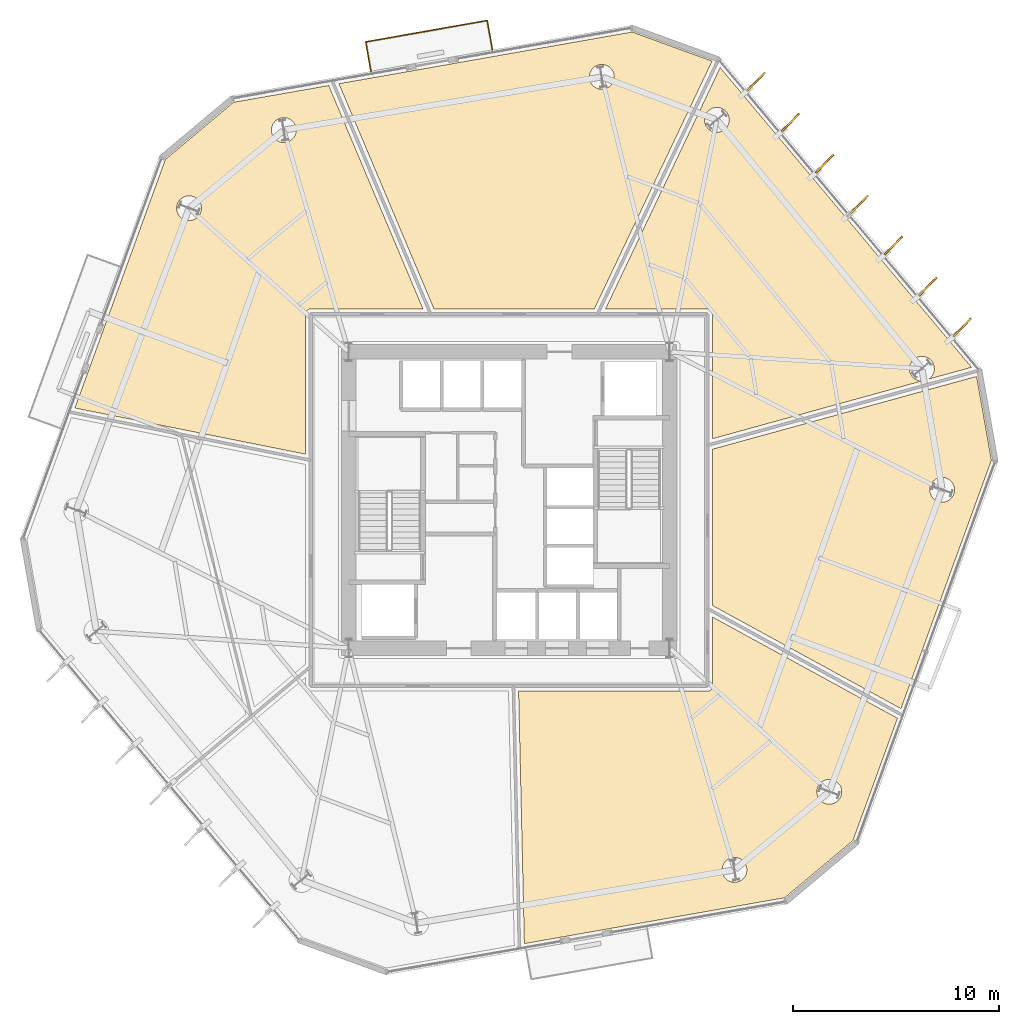
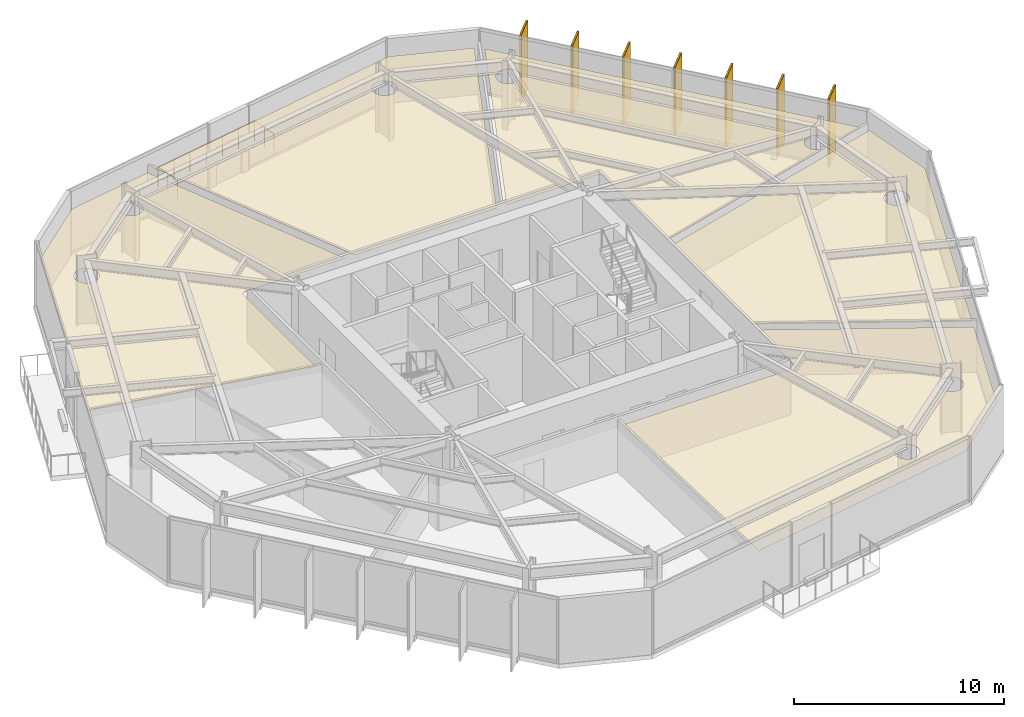
# One storey, part 10 of 10: 12 coverings, 7 shading devices, 1 railing.
"""IFC4 building model written with IfcOpenShell, lengths in metres."""

from ifc_helpers import new_model, si_unit, direction, frame, origin, origin_2d, place, context, subcontext, project, spatial, polyline, rectangle, circle, outline, extrude, material, layer, layer_set, type_object, element, save


model = new_model("IFC4")

# Units and contexts
model_context = context("Model", 3, precision=1e-05, world=origin(), true_north=direction((0.0, 1.0)))
body_context = subcontext(model_context, "Body", "Model", "MODEL_VIEW")
ifc_project = project(units=[si_unit("LENGTHUNIT", "METRE"), si_unit("AREAUNIT", "SQUARE_METRE"), si_unit("VOLUMEUNIT", "CUBIC_METRE"), si_unit("PLANEANGLEUNIT", "RADIAN"), si_unit("MASSUNIT", "GRAM", prefix="KILO")], contexts=[model_context])

# Site, building, storey
site_placement = place(None, origin())
site = spatial("IfcSite", under=ifc_project, at=site_placement, CompositionType="ELEMENT")
building_placement = place(site_placement, origin())
building = spatial("IfcBuilding", under=site, at=building_placement, Name="Kranzbogen Civic Tower", CompositionType="ELEMENT")
storey_placement = place(building_placement, frame((0.0, 0.0, 60.0)))
storey = spatial("IfcBuildingStorey", under=building, at=storey_placement, Name="L14", CompositionType="ELEMENT", Elevation=60.0)

# Coverings
ifc_material_1 = material(Name="Pale Anodised Aluminium", Category="aluminium")
ifc_layer_1 = layer(ifc_material_1, 0.02490234375, Name="Pale Anodised Aluminium")
ifc_layer_set_1 = layer_set([ifc_layer_1], Name="Pale Anodised Aluminium")
covering_type_1 = type_object("IfcCoveringType", Name="Anodised Aluminium Vertical Fin Cladding 25 mm", PredefinedType="CLADDING", material=ifc_layer_set_1)
for number, where, z_axis, x_axis, name in (
    (1, (47.032958984375, 33.389892578125, -0.139892578125), (0.0, 0.0, 1.0), (0.695687156224, 0.718344889774, 0.0), "L14 vertical fin pale-metal cladding F1-1"),
    (2, (45.362060546875, 35.382080078125, -0.139892578125), (0.0, 0.0, 1.0), (0.695687156224, 0.718344889774, 0.0), "L14 vertical fin pale-metal cladding F1-2"),
    (3, (43.69091796875, 37.3740234375, -0.139892578125), (0.0, 0.0, 1.0), (0.695687156224, 0.718344889774, 0.0), "L14 vertical fin pale-metal cladding F1-3"),
    (4, (42.02001953125, 39.364990234375, -0.139892578125), (0.0, 0.0, 1.0), (0.695687156224, 0.718344889774, 0.0), "L14 vertical fin pale-metal cladding F1-4"),
    (5, (40.347900390625, 41.35693359375, -0.139892578125), (0.0, 0.0, 1.0), (0.695687156224, 0.718344889774, 0.0), "L14 vertical fin pale-metal cladding F1-5"),
    (6, (38.677001953125, 43.34912109375, -0.139892578125), (0.0, 0.0, 1.0), (0.695687156224, 0.718344889774, 0.0), "L14 vertical fin pale-metal cladding F1-6"),
    (7, (37.006103515625, 45.341064453125, -0.139892578125), (0.0, 0.0, 1.0), (0.695687156224, 0.718344889774, 0.0), "L14 vertical fin pale-metal cladding F1-7"),
):
    element("IfcCovering", number, at=place(storey_placement, frame(where, z_axis=z_axis, x_axis=x_axis)), inside=storey, type_object=covering_type_1, Name=name, PredefinedType="CLADDING", context=body_context, shape_type="SweptSolid", body=[
        extrude(rectangle(XDim=1.25, YDim=0.10009765625, at=origin_2d()), origin(), (0.0, 0.0, 1.0), 3.9599609375),
    ])

# Shading devices
ifc_material_2 = material(Name="Anodised Bronze Aluminium", Category="aluminium")
shading_device_type = type_object("IfcShadingDeviceType", Name="Anodised Bronze Vertical Facade Fin 1250x80", PredefinedType="USERDEFINED", material=ifc_material_2)
for number, where, z_axis, x_axis, name in (
    (8, (47.032958984375, 33.389892578125, -0.139892578125), (0.0, 0.0, 1.0), (0.695687156224, 0.718344889774, 0.0), "L14 vertical exterior shading fin F1-1"),
    (9, (45.362060546875, 35.382080078125, -0.139892578125), (0.0, 0.0, 1.0), (0.695687156224, 0.718344889774, 0.0), "L14 vertical exterior shading fin F1-2"),
    (10, (43.69091796875, 37.3740234375, -0.139892578125), (0.0, 0.0, 1.0), (0.695687156224, 0.718344889774, 0.0), "L14 vertical exterior shading fin F1-3"),
    (11, (42.02001953125, 39.364990234375, -0.139892578125), (0.0, 0.0, 1.0), (0.695687156224, 0.718344889774, 0.0), "L14 vertical exterior shading fin F1-4"),
    (12, (40.347900390625, 41.35693359375, -0.139892578125), (0.0, 0.0, 1.0), (0.695687156224, 0.718344889774, 0.0), "L14 vertical exterior shading fin F1-5"),
    (13, (38.677001953125, 43.34912109375, -0.139892578125), (0.0, 0.0, 1.0), (0.695687156224, 0.718344889774, 0.0), "L14 vertical exterior shading fin F1-6"),
    (14, (37.006103515625, 45.341064453125, -0.139892578125), (0.0, 0.0, 1.0), (0.695687156224, 0.718344889774, 0.0), "L14 vertical exterior shading fin F1-7"),
):
    element("IfcShadingDevice", number, at=place(storey_placement, frame(where, z_axis=z_axis, x_axis=x_axis)), inside=storey, type_object=shading_device_type, Name=name, ObjectType="FIN", PredefinedType="USERDEFINED", context=body_context, shape_type="SweptSolid", body=[
        extrude(rectangle(XDim=1.25, YDim=0.080078125, at=origin_2d()), origin(), (0.0, 0.0, 1.0), 3.9599609375),
    ])

# Railing
railing_type = type_object("IfcRailingType", Name="Cantilevered Balcony Glass and Bronze Balustrade 1200", PredefinedType="BALUSTRADE", material=ifc_material_2)
railing_placement = place(storey_placement, frame((24.18603515625, 46.89111328125, 0.0)))
element("IfcRailing", 15, at=railing_placement, inside=storey, type_object=railing_type, Name="L14 exterior terrace balustrade L14-TB2", PredefinedType="BALUSTRADE", context=body_context, shape_type="SweptSolid", body=[
    extrude(circle(Radius=0.02392578125, at=origin_2d()), frame((0.0, 0.0, 1.17578125), z_axis=(-0.173756519054, 0.984788643358, 0.0), x_axis=(-0.984788643358, -0.173756519054, 0.0)), (0.0, 0.0, 1.0), 1.449951171875),
    extrude(circle(Radius=0.02392578125, at=origin_2d()), frame((-0.251953125, 1.427978515625, 1.17578125), z_axis=(-0.984806488304, -0.173655350028, 0.0), x_axis=(0.173655350028, -0.984806488304, 0.0)), (0.0, 0.0, 1.0), 6.000244140625),
    extrude(circle(Radius=0.02392578125, at=origin_2d()), frame((-6.1611328125, 0.385986328125, 1.17578125), z_axis=(0.173919797331, -0.984759820513, 0.0), x_axis=(0.984759820513, 0.173919797331, 0.0)), (0.0, 0.0, 1.0), 1.4501953125),
    extrude(circle(Radius=0.02099609375, at=origin_2d()), origin(), (0.0, 0.0, 1.0), 1.15185546875),
    extrude(circle(Radius=0.02099609375, at=origin_2d()), frame((-0.1259765625, 0.7138671875, 0.0)), (0.0, 0.0, 1.0), 1.15185546875),
    extrude(circle(Radius=0.02099609375, at=origin_2d()), frame((-0.251953125, 1.427978515625, 0.0)), (0.0, 0.0, 1.0), 1.15185546875),
    extrude(circle(Radius=0.02099609375, at=origin_2d()), frame((-1.23681640625, 1.25439453125, 0.0)), (0.0, 0.0, 1.0), 1.15185546875),
    extrude(circle(Radius=0.02099609375, at=origin_2d()), frame((-2.2216796875, 1.08056640625, 0.0)), (0.0, 0.0, 1.0), 1.15185546875),
    extrude(circle(Radius=0.02099609375, at=origin_2d()), frame((-3.20654296875, 0.906982421875, 0.0)), (0.0, 0.0, 1.0), 1.15185546875),
    extrude(circle(Radius=0.02099609375, at=origin_2d()), frame((-4.19140625, 0.7333984375, 0.0)), (0.0, 0.0, 1.0), 1.15185546875),
    extrude(circle(Radius=0.02099609375, at=origin_2d()), frame((-5.17626953125, 0.5595703125, 0.0)), (0.0, 0.0, 1.0), 1.15185546875),
    extrude(circle(Radius=0.02099609375, at=origin_2d()), frame((-6.1611328125, 0.385986328125, 0.0)), (0.0, 0.0, 1.0), 1.15185546875),
    extrude(circle(Radius=0.02099609375, at=origin_2d()), frame((-6.03515625, -0.328125, 0.0)), (0.0, 0.0, 1.0), 1.15185546875),
    extrude(circle(Radius=0.02099609375, at=origin_2d()), frame((-5.908935546875, -1.0419921875, 0.0)), (0.0, 0.0, 1.0), 1.15185546875),
])

# Coverings
ifc_material_3 = material(Name="Perforated Acoustic Gypsum Ceiling")
ifc_layer_2 = layer(ifc_material_3, 0.02490234375, Name="Perforated Acoustic Gypsum Ceiling")
ifc_layer_set_2 = layer_set([ifc_layer_2], Name="Perforated Acoustic Gypsum Ceiling")
covering_type_2 = type_object("IfcCoveringType", Name="Perforated Acoustic Mineral Ceiling Tile 25 mm", PredefinedType="CEILING", material=ifc_layer_set_2)
covering_1_placement = place(storey_placement, frame((0.0, 0.0, 2.75)))
element("IfcCovering", 16, at=covering_1_placement, inside=storey, type_object=covering_type_2, Name="L14 Staff Tea Pantry acoustic ceiling", PredefinedType="CEILING", context=body_context, shape_type="SweptSolid", body=[
    extrude(outline(polyline([(38.406005859375, 5.658935546875), (25.739013671875, 3.425048828125), (25.4580078125, 15.705078125), (34.64990234375, 15.705078125), (34.658935546875, 15.705078125), (34.6650390625, 15.7060546875), (34.68310546875, 15.70703125), (34.68896484375, 15.7080078125), (34.7060546875, 15.7119140625), (34.712890625, 15.712890625), (34.72998046875, 15.718017578125), (34.736083984375, 15.719970703125), (34.751953125, 15.72705078125), (34.758056640625, 15.72998046875), (34.77294921875, 15.738037109375), (34.779052734375, 15.741943359375), (34.79296875, 15.7509765625), (34.798095703125, 15.7548828125), (34.81201171875, 15.76611328125), (34.81689453125, 15.77099609375), (34.8291015625, 15.782958984375), (34.833984375, 15.7880859375), (34.844970703125, 15.802001953125), (34.84912109375, 15.806884765625), (34.85791015625, 15.821044921875), (34.862060546875, 15.826904296875), (34.8701171875, 15.842041015625), (34.873046875, 15.847900390625), (34.8798828125, 15.864013671875), (34.882080078125, 15.8701171875), (34.886962890625, 15.886962890625), (34.887939453125, 15.89404296875), (34.89208984375, 15.910888671875), (34.89306640625, 15.9169921875), (34.89404296875, 15.93505859375), (34.89501953125, 15.94091796875), (34.89501953125, 15.949951171875), (34.89501953125, 19.305908203125), (43.884033203125, 14.386962890625), (41.718994140625, 8.43994140625), (38.406005859375, 5.658935546875)]), holes=[polyline([(36.513916015625, 6.781982421875), (36.489013671875, 6.72802734375), (36.458984375, 6.677978515625), (36.423095703125, 6.6298828125), (36.384033203125, 6.5859375), (36.340087890625, 6.547119140625), (36.2919921875, 6.510986328125), (36.241943359375, 6.48095703125), (36.18798828125, 6.4560546875), (36.133056640625, 6.43603515625), (36.074951171875, 6.422119140625), (36.01708984375, 6.4130859375), (35.9580078125, 6.409912109375), (35.89892578125, 6.4130859375), (35.841064453125, 6.422119140625), (35.782958984375, 6.43603515625), (35.72802734375, 6.4560546875), (35.674072265625, 6.48095703125), (35.6240234375, 6.510986328125), (35.575927734375, 6.547119140625), (35.531982421875, 6.5859375), (35.492919921875, 6.6298828125), (35.45703125, 6.677978515625), (35.427001953125, 6.72802734375), (35.402099609375, 6.781982421875), (35.382080078125, 6.8369140625), (35.367919921875, 6.89501953125), (35.35888671875, 6.952880859375), (35.35595703125, 7.011962890625), (35.35888671875, 7.071044921875), (35.367919921875, 7.12890625), (35.382080078125, 7.18701171875), (35.402099609375, 7.241943359375), (35.427001953125, 7.2958984375), (35.45703125, 7.345947265625), (35.492919921875, 7.39404296875), (35.531982421875, 7.43798828125), (35.575927734375, 7.47705078125), (35.6240234375, 7.512939453125), (35.674072265625, 7.54296875), (35.72802734375, 7.568115234375), (35.782958984375, 7.587890625), (35.841064453125, 7.60205078125), (35.89892578125, 7.611083984375), (35.9580078125, 7.614013671875), (36.01708984375, 7.611083984375), (36.074951171875, 7.60205078125), (36.133056640625, 7.587890625), (36.18798828125, 7.568115234375), (36.241943359375, 7.54296875), (36.2919921875, 7.512939453125), (36.340087890625, 7.47705078125), (36.384033203125, 7.43798828125), (36.423095703125, 7.39404296875), (36.458984375, 7.345947265625), (36.489013671875, 7.2958984375), (36.513916015625, 7.241943359375), (36.533935546875, 7.18701171875), (36.548095703125, 7.12890625), (36.556884765625, 7.071044921875), (36.56005859375, 7.011962890625), (36.556884765625, 6.952880859375), (36.548095703125, 6.89501953125), (36.533935546875, 6.8369140625), (36.513916015625, 6.781982421875)]), polyline([(41.123046875, 10.5810546875), (41.097900390625, 10.527099609375), (41.068115234375, 10.47705078125), (41.031982421875, 10.428955078125), (40.992919921875, 10.385009765625), (40.948974609375, 10.345947265625), (40.90087890625, 10.31005859375), (40.85107421875, 10.280029296875), (40.797119140625, 10.2548828125), (40.741943359375, 10.235107421875), (40.68408203125, 10.220947265625), (40.6259765625, 10.2119140625), (40.56689453125, 10.208984375), (40.508056640625, 10.2119140625), (40.449951171875, 10.220947265625), (40.39208984375, 10.235107421875), (40.3369140625, 10.2548828125), (40.282958984375, 10.280029296875), (40.23291015625, 10.31005859375), (40.18505859375, 10.345947265625), (40.14111328125, 10.385009765625), (40.10205078125, 10.428955078125), (40.06591796875, 10.47705078125), (40.035888671875, 10.527099609375), (40.010986328125, 10.5810546875), (39.990966796875, 10.635986328125), (39.97705078125, 10.694091796875), (39.968017578125, 10.751953125), (39.965087890625, 10.81103515625), (39.968017578125, 10.8701171875), (39.97705078125, 10.927978515625), (39.990966796875, 10.986083984375), (40.010986328125, 11.041015625), (40.035888671875, 11.094970703125), (40.06591796875, 11.14501953125), (40.10205078125, 11.193115234375), (40.14111328125, 11.237060546875), (40.18505859375, 11.27587890625), (40.23291015625, 11.31201171875), (40.282958984375, 11.342041015625), (40.3369140625, 11.366943359375), (40.39208984375, 11.386962890625), (40.449951171875, 11.40087890625), (40.508056640625, 11.409912109375), (40.56689453125, 11.4130859375), (40.6259765625, 11.409912109375), (40.68408203125, 11.40087890625), (40.741943359375, 11.386962890625), (40.797119140625, 11.366943359375), (40.85107421875, 11.342041015625), (40.90087890625, 11.31201171875), (40.948974609375, 11.27587890625), (40.992919921875, 11.237060546875), (41.031982421875, 11.193115234375), (41.068115234375, 11.14501953125), (41.097900390625, 11.094970703125), (41.123046875, 11.041015625), (41.14306640625, 10.986083984375), (41.156982421875, 10.927978515625), (41.166015625, 10.8701171875), (41.1689453125, 10.81103515625), (41.166015625, 10.751953125), (41.156982421875, 10.694091796875), (41.14306640625, 10.635986328125), (41.123046875, 10.5810546875)])]), origin(), (0.0, 0.0, 1.0), 0.02490234375),
])
covering_2_placement = place(storey_placement, frame((0.0, 0.0, 2.75)))
element("IfcCovering", 17, at=covering_2_placement, inside=storey, type_object=covering_type_2, Name="L14 Hospitality Catering Kitchen acoustic ceiling", PredefinedType="CEILING", context=body_context, shape_type="SweptSolid", body=[
    extrude(outline(polyline([(34.89501953125, 19.864013671875), (34.89501953125, 27.472900390625), (47.73388671875, 31.011962890625), (48.452880859375, 26.93896484375), (44.052978515625, 14.85302734375), (34.89501953125, 19.864013671875)]), holes=[polyline([(46.613037109375, 25.26611328125), (46.587890625, 25.2119140625), (46.55810546875, 25.162109375), (46.52197265625, 25.114013671875), (46.48291015625, 25.070068359375), (46.43896484375, 25.031005859375), (46.39111328125, 24.9951171875), (46.341064453125, 24.965087890625), (46.287109375, 24.93994140625), (46.23193359375, 24.919921875), (46.174072265625, 24.906005859375), (46.115966796875, 24.89697265625), (46.056884765625, 24.89404296875), (45.998046875, 24.89697265625), (45.93994140625, 24.906005859375), (45.882080078125, 24.919921875), (45.826904296875, 24.93994140625), (45.77294921875, 24.965087890625), (45.722900390625, 24.9951171875), (45.675048828125, 25.031005859375), (45.631103515625, 25.070068359375), (45.592041015625, 25.114013671875), (45.555908203125, 25.162109375), (45.52587890625, 25.2119140625), (45.5009765625, 25.26611328125), (45.48095703125, 25.321044921875), (45.467041015625, 25.37890625), (45.4580078125, 25.43701171875), (45.455078125, 25.49609375), (45.4580078125, 25.554931640625), (45.467041015625, 25.613037109375), (45.48095703125, 25.6708984375), (45.5009765625, 25.72607421875), (45.52587890625, 25.780029296875), (45.555908203125, 25.830078125), (45.592041015625, 25.8779296875), (45.631103515625, 25.922119140625), (45.675048828125, 25.9609375), (45.722900390625, 25.9970703125), (45.77294921875, 26.027099609375), (45.826904296875, 26.052001953125), (45.882080078125, 26.072021484375), (45.93994140625, 26.0859375), (45.998046875, 26.094970703125), (46.056884765625, 26.097900390625), (46.115966796875, 26.094970703125), (46.174072265625, 26.0859375), (46.23193359375, 26.072021484375), (46.287109375, 26.052001953125), (46.341064453125, 26.027099609375), (46.39111328125, 25.9970703125), (46.43896484375, 25.9609375), (46.48291015625, 25.922119140625), (46.52197265625, 25.8779296875), (46.55810546875, 25.830078125), (46.587890625, 25.780029296875), (46.613037109375, 25.72607421875), (46.633056640625, 25.6708984375), (46.64697265625, 25.613037109375), (46.656005859375, 25.554931640625), (46.658935546875, 25.49609375), (46.656005859375, 25.43701171875), (46.64697265625, 25.37890625), (46.633056640625, 25.321044921875), (46.613037109375, 25.26611328125)])]), origin(), (0.0, 0.0, 1.0), 0.02490234375),
])
covering_3_placement = place(storey_placement, frame((0.0, 0.0, 2.75)))
element("IfcCovering", 18, at=covering_3_placement, inside=storey, type_object=covering_type_2, Name="L14 Refreshment Galley Pantry acoustic ceiling", PredefinedType="CEILING", context=body_context, shape_type="SweptSolid", body=[
    extrude(outline(polyline([(45.385009765625, 30.873046875), (45.406005859375, 30.885009765625), (45.4541015625, 30.9208984375), (45.498046875, 30.9599609375), (45.537109375, 31.00390625), (45.572998046875, 31.052001953125), (45.60302734375, 31.10205078125), (45.6279296875, 31.156005859375), (45.64794921875, 31.2109375), (45.662109375, 31.26904296875), (45.6708984375, 31.326904296875), (45.674072265625, 31.385986328125), (45.6708984375, 31.445068359375), (45.662109375, 31.5029296875), (45.64794921875, 31.56103515625), (45.6279296875, 31.615966796875), (45.60302734375, 31.669921875), (45.572998046875, 31.719970703125), (45.537109375, 31.76806640625), (45.498046875, 31.81201171875), (45.4541015625, 31.85107421875), (45.406005859375, 31.886962890625), (45.35595703125, 31.9169921875), (45.302001953125, 31.94189453125), (45.2470703125, 31.9619140625), (45.18896484375, 31.97607421875), (45.131103515625, 31.985107421875), (45.072021484375, 31.988037109375), (45.012939453125, 31.985107421875), (44.955078125, 31.97607421875), (44.89697265625, 31.9619140625), (44.842041015625, 31.94189453125), (44.7880859375, 31.9169921875), (44.738037109375, 31.886962890625), (44.68994140625, 31.85107421875), (44.64599609375, 31.81201171875), (44.60693359375, 31.76806640625), (44.571044921875, 31.719970703125), (44.541015625, 31.669921875), (44.51611328125, 31.615966796875), (44.49609375, 31.56103515625), (44.48193359375, 31.5029296875), (44.472900390625, 31.445068359375), (44.469970703125, 31.385986328125), (44.472900390625, 31.326904296875), (44.48193359375, 31.26904296875), (44.49609375, 31.2109375), (44.51611328125, 31.156005859375), (44.541015625, 31.10205078125), (44.571044921875, 31.052001953125), (44.60693359375, 31.00390625), (44.64599609375, 30.9599609375), (44.68994140625, 30.9208984375), (44.738037109375, 30.885009765625), (44.7880859375, 30.85498046875), (44.842041015625, 30.830078125), (44.89697265625, 30.81005859375), (44.955078125, 30.7958984375), (45.012939453125, 30.787109375), (45.06396484375, 30.783935546875), (34.89501953125, 27.98095703125), (34.89501953125, 34.050048828125), (34.89501953125, 34.05908203125), (34.89404296875, 34.06494140625), (34.89306640625, 34.0830078125), (34.89208984375, 34.089111328125), (34.887939453125, 34.10595703125), (34.886962890625, 34.113037109375), (34.882080078125, 34.1298828125), (34.8798828125, 34.135986328125), (34.873046875, 34.152099609375), (34.8701171875, 34.157958984375), (34.862060546875, 34.173095703125), (34.85791015625, 34.178955078125), (34.84912109375, 34.193115234375), (34.844970703125, 34.197998046875), (34.833984375, 34.2119140625), (34.8291015625, 34.217041015625), (34.81689453125, 34.22900390625), (34.81201171875, 34.23388671875), (34.798095703125, 34.2451171875), (34.79296875, 34.2490234375), (34.779052734375, 34.258056640625), (34.77294921875, 34.261962890625), (34.758056640625, 34.27001953125), (34.751953125, 34.27294921875), (34.736083984375, 34.280029296875), (34.72998046875, 34.281982421875), (34.712890625, 34.287109375), (34.7060546875, 34.2880859375), (34.68896484375, 34.2919921875), (34.68310546875, 34.29296875), (34.6650390625, 34.2939453125), (34.658935546875, 34.294921875), (34.64990234375, 34.294921875), (29.68701171875, 34.294921875), (35.260009765625, 46.027099609375), (47.488037109375, 31.451904296875), (45.385009765625, 30.873046875)]), holes=[polyline([(35.655029296875, 43.25390625), (35.6298828125, 43.199951171875), (35.60009765625, 43.14990234375), (35.56396484375, 43.10205078125), (35.52490234375, 43.05810546875), (35.48095703125, 43.01904296875), (35.43310546875, 42.98291015625), (35.383056640625, 42.952880859375), (35.3291015625, 42.927978515625), (35.27392578125, 42.907958984375), (35.216064453125, 42.89404296875), (35.157958984375, 42.885009765625), (35.09912109375, 42.882080078125), (35.0400390625, 42.885009765625), (34.98193359375, 42.89404296875), (34.924072265625, 42.907958984375), (34.868896484375, 42.927978515625), (34.81494140625, 42.952880859375), (34.764892578125, 42.98291015625), (34.717041015625, 43.01904296875), (34.673095703125, 43.05810546875), (34.634033203125, 43.10205078125), (34.597900390625, 43.14990234375), (34.568115234375, 43.199951171875), (34.54296875, 43.25390625), (34.52294921875, 43.30908203125), (34.509033203125, 43.366943359375), (34.5, 43.425048828125), (34.4970703125, 43.48388671875), (34.5, 43.54296875), (34.509033203125, 43.60107421875), (34.52294921875, 43.658935546875), (34.54296875, 43.714111328125), (34.568115234375, 43.76806640625), (34.597900390625, 43.818115234375), (34.634033203125, 43.865966796875), (34.673095703125, 43.909912109375), (34.717041015625, 43.948974609375), (34.764892578125, 43.985107421875), (34.81494140625, 44.014892578125), (34.868896484375, 44.0400390625), (34.924072265625, 44.06005859375), (34.98193359375, 44.073974609375), (35.0400390625, 44.0830078125), (35.09912109375, 44.0859375), (35.157958984375, 44.0830078125), (35.216064453125, 44.073974609375), (35.27392578125, 44.06005859375), (35.3291015625, 44.0400390625), (35.383056640625, 44.014892578125), (35.43310546875, 43.985107421875), (35.48095703125, 43.948974609375), (35.52490234375, 43.909912109375), (35.56396484375, 43.865966796875), (35.60009765625, 43.818115234375), (35.6298828125, 43.76806640625), (35.655029296875, 43.714111328125), (35.675048828125, 43.658935546875), (35.68896484375, 43.60107421875), (35.697998046875, 43.54296875), (35.700927734375, 43.48388671875), (35.697998046875, 43.425048828125), (35.68896484375, 43.366943359375), (35.675048828125, 43.30908203125), (35.655029296875, 43.25390625)])]), origin(), (0.0, 0.0, 1.0), 0.02490234375),
])
covering_4_placement = place(storey_placement, frame((0.0, 0.0, 2.75)))
element("IfcCovering", 19, at=covering_4_placement, inside=storey, type_object=covering_type_2, Name="L14 Operations Security Control Room acoustic ceiling", PredefinedType="CEILING", context=body_context, shape_type="SweptSolid", body=[
    extrude(outline(polyline([(34.868896484375, 46.344970703125), (29.14404296875, 34.294921875), (21.342041015625, 34.294921875), (16.718994140625, 45.2451171875), (30.98193359375, 47.760009765625), (34.868896484375, 46.344970703125)]), holes=[polyline([(30.06103515625, 45.345947265625), (30.035888671875, 45.2919921875), (30.006103515625, 45.241943359375), (29.969970703125, 45.194091796875), (29.930908203125, 45.14990234375), (29.886962890625, 45.111083984375), (29.839111328125, 45.074951171875), (29.7890625, 45.044921875), (29.735107421875, 45.02001953125), (29.679931640625, 45.0), (29.6220703125, 44.986083984375), (29.56396484375, 44.97705078125), (29.5048828125, 44.97412109375), (29.446044921875, 44.97705078125), (29.387939453125, 44.986083984375), (29.330078125, 45.0), (29.27490234375, 45.02001953125), (29.220947265625, 45.044921875), (29.1708984375, 45.074951171875), (29.123046875, 45.111083984375), (29.0791015625, 45.14990234375), (29.0400390625, 45.194091796875), (29.00390625, 45.241943359375), (28.97412109375, 45.2919921875), (28.948974609375, 45.345947265625), (28.928955078125, 45.40087890625), (28.9150390625, 45.458984375), (28.906005859375, 45.51708984375), (28.903076171875, 45.575927734375), (28.906005859375, 45.635009765625), (28.9150390625, 45.693115234375), (28.928955078125, 45.7509765625), (28.948974609375, 45.805908203125), (28.97412109375, 45.860107421875), (29.00390625, 45.909912109375), (29.0400390625, 45.9580078125), (29.0791015625, 46.001953125), (29.123046875, 46.041015625), (29.1708984375, 46.076904296875), (29.220947265625, 46.10693359375), (29.27490234375, 46.132080078125), (29.330078125, 46.152099609375), (29.387939453125, 46.166015625), (29.446044921875, 46.175048828125), (29.5048828125, 46.177978515625), (29.56396484375, 46.175048828125), (29.6220703125, 46.166015625), (29.679931640625, 46.152099609375), (29.735107421875, 46.132080078125), (29.7890625, 46.10693359375), (29.839111328125, 46.076904296875), (29.886962890625, 46.041015625), (29.930908203125, 46.001953125), (29.969970703125, 45.9580078125), (30.006103515625, 45.909912109375), (30.035888671875, 45.860107421875), (30.06103515625, 45.805908203125), (30.0810546875, 45.7509765625), (30.094970703125, 45.693115234375), (30.10400390625, 45.635009765625), (30.10693359375, 45.575927734375), (30.10400390625, 45.51708984375), (30.094970703125, 45.458984375), (30.0810546875, 45.40087890625), (30.06103515625, 45.345947265625)])]), origin(), (0.0, 0.0, 1.0), 0.02490234375),
])
covering_5_placement = place(storey_placement, frame((0.0, 0.0, 2.75)))
element("IfcCovering", 20, at=covering_5_placement, inside=storey, type_object=covering_type_2, Name="L14 Citizen Services Kiosk acoustic ceiling", PredefinedType="CEILING", context=body_context, shape_type="SweptSolid", body=[
    extrude(outline(polyline([(11.593994140625, 44.341064453125), (16.22412109375, 45.156982421875), (20.81005859375, 34.294921875), (15.35009765625, 34.294921875), (15.341064453125, 34.294921875), (15.3349609375, 34.2939453125), (15.31689453125, 34.29296875), (15.31103515625, 34.2919921875), (15.2939453125, 34.2880859375), (15.287109375, 34.287109375), (15.27001953125, 34.281982421875), (15.263916015625, 34.280029296875), (15.248046875, 34.27294921875), (15.241943359375, 34.27001953125), (15.22705078125, 34.261962890625), (15.220947265625, 34.258056640625), (15.20703125, 34.2490234375), (15.201904296875, 34.2451171875), (15.18798828125, 34.23388671875), (15.18310546875, 34.22900390625), (15.1708984375, 34.217041015625), (15.166015625, 34.2119140625), (15.155029296875, 34.197998046875), (15.15087890625, 34.193115234375), (15.14208984375, 34.178955078125), (15.137939453125, 34.173095703125), (15.1298828125, 34.157958984375), (15.126953125, 34.152099609375), (15.1201171875, 34.135986328125), (15.117919921875, 34.1298828125), (15.113037109375, 34.113037109375), (15.112060546875, 34.10595703125), (15.10791015625, 34.089111328125), (15.10693359375, 34.0830078125), (15.10595703125, 34.06494140625), (15.10498046875, 34.05908203125), (15.10498046875, 34.050048828125), (15.10498046875, 27.22900390625), (3.881103515625, 29.472900390625), (8.281005859375, 41.56005859375), (11.593994140625, 44.341064453125)]), holes=[polyline([(9.989013671875, 38.958984375), (9.964111328125, 38.905029296875), (9.93408203125, 38.85498046875), (9.89794921875, 38.806884765625), (9.85888671875, 38.762939453125), (9.81494140625, 38.72412109375), (9.76708984375, 38.68798828125), (9.717041015625, 38.657958984375), (9.6630859375, 38.633056640625), (9.60791015625, 38.613037109375), (9.550048828125, 38.59912109375), (9.491943359375, 38.590087890625), (9.43310546875, 38.5869140625), (9.3740234375, 38.590087890625), (9.31591796875, 38.59912109375), (9.258056640625, 38.613037109375), (9.202880859375, 38.633056640625), (9.14892578125, 38.657958984375), (9.09912109375, 38.68798828125), (9.051025390625, 38.72412109375), (9.007080078125, 38.762939453125), (8.968017578125, 38.806884765625), (8.931884765625, 38.85498046875), (8.902099609375, 38.905029296875), (8.876953125, 38.958984375), (8.85693359375, 39.013916015625), (8.843017578125, 39.072021484375), (8.833984375, 39.1298828125), (8.8310546875, 39.18896484375), (8.833984375, 39.248046875), (8.843017578125, 39.305908203125), (8.85693359375, 39.364013671875), (8.876953125, 39.4189453125), (8.902099609375, 39.472900390625), (8.931884765625, 39.52294921875), (8.968017578125, 39.571044921875), (9.007080078125, 39.614990234375), (9.051025390625, 39.654052734375), (9.09912109375, 39.68994140625), (9.14892578125, 39.719970703125), (9.202880859375, 39.7451171875), (9.258056640625, 39.764892578125), (9.31591796875, 39.779052734375), (9.3740234375, 39.7880859375), (9.43310546875, 39.791015625), (9.491943359375, 39.7880859375), (9.550048828125, 39.779052734375), (9.60791015625, 39.764892578125), (9.6630859375, 39.7451171875), (9.717041015625, 39.719970703125), (9.76708984375, 39.68994140625), (9.81494140625, 39.654052734375), (9.85888671875, 39.614990234375), (9.89794921875, 39.571044921875), (9.93408203125, 39.52294921875), (9.964111328125, 39.472900390625), (9.989013671875, 39.4189453125), (10.009033203125, 39.364013671875), (10.02294921875, 39.305908203125), (10.031982421875, 39.248046875), (10.034912109375, 39.18896484375), (10.031982421875, 39.1298828125), (10.02294921875, 39.072021484375), (10.009033203125, 39.013916015625), (9.989013671875, 38.958984375)]), polyline([(14.597900390625, 42.758056640625), (14.572998046875, 42.7041015625), (14.54296875, 42.654052734375), (14.507080078125, 42.60595703125), (14.468017578125, 42.56201171875), (14.424072265625, 42.52294921875), (14.3759765625, 42.487060546875), (14.325927734375, 42.45703125), (14.27197265625, 42.431884765625), (14.217041015625, 42.412109375), (14.158935546875, 42.39794921875), (14.10107421875, 42.388916015625), (14.0419921875, 42.385986328125), (13.98291015625, 42.388916015625), (13.925048828125, 42.39794921875), (13.866943359375, 42.412109375), (13.81201171875, 42.431884765625), (13.758056640625, 42.45703125), (13.7080078125, 42.487060546875), (13.659912109375, 42.52294921875), (13.615966796875, 42.56201171875), (13.576904296875, 42.60595703125), (13.541015625, 42.654052734375), (13.510986328125, 42.7041015625), (13.486083984375, 42.758056640625), (13.466064453125, 42.81298828125), (13.451904296875, 42.87109375), (13.443115234375, 42.928955078125), (13.43994140625, 42.988037109375), (13.443115234375, 43.047119140625), (13.451904296875, 43.10498046875), (13.466064453125, 43.1630859375), (13.486083984375, 43.218017578125), (13.510986328125, 43.27197265625), (13.541015625, 43.322021484375), (13.576904296875, 43.3701171875), (13.615966796875, 43.4140625), (13.659912109375, 43.452880859375), (13.7080078125, 43.489013671875), (13.758056640625, 43.51904296875), (13.81201171875, 43.5439453125), (13.866943359375, 43.56396484375), (13.925048828125, 43.577880859375), (13.98291015625, 43.5869140625), (14.0419921875, 43.590087890625), (14.10107421875, 43.5869140625), (14.158935546875, 43.577880859375), (14.217041015625, 43.56396484375), (14.27197265625, 43.5439453125), (14.325927734375, 43.51904296875), (14.3759765625, 43.489013671875), (14.424072265625, 43.452880859375), (14.468017578125, 43.4140625), (14.507080078125, 43.3701171875), (14.54296875, 43.322021484375), (14.572998046875, 43.27197265625), (14.597900390625, 43.218017578125), (14.617919921875, 43.1630859375), (14.632080078125, 43.10498046875), (14.64111328125, 43.047119140625), (14.64404296875, 42.988037109375), (14.64111328125, 42.928955078125), (14.632080078125, 42.87109375), (14.617919921875, 42.81298828125), (14.597900390625, 42.758056640625)])]), origin(), (0.0, 0.0, 1.0), 0.02490234375),
])

save(model, "model.ifc")
